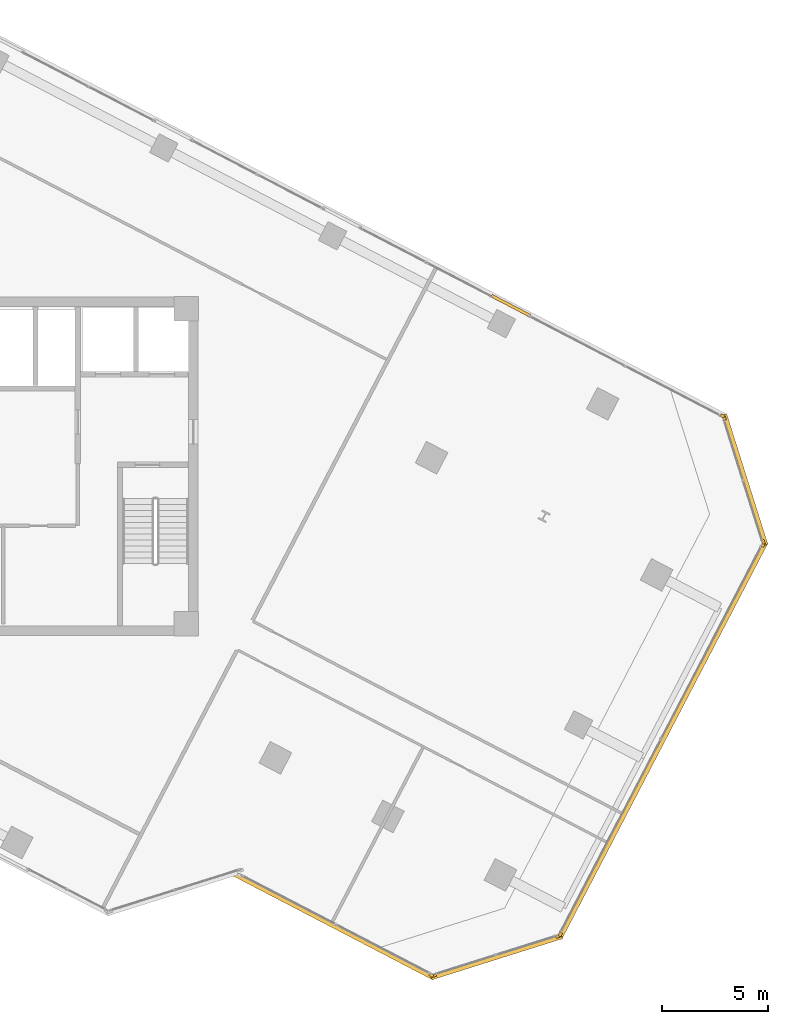
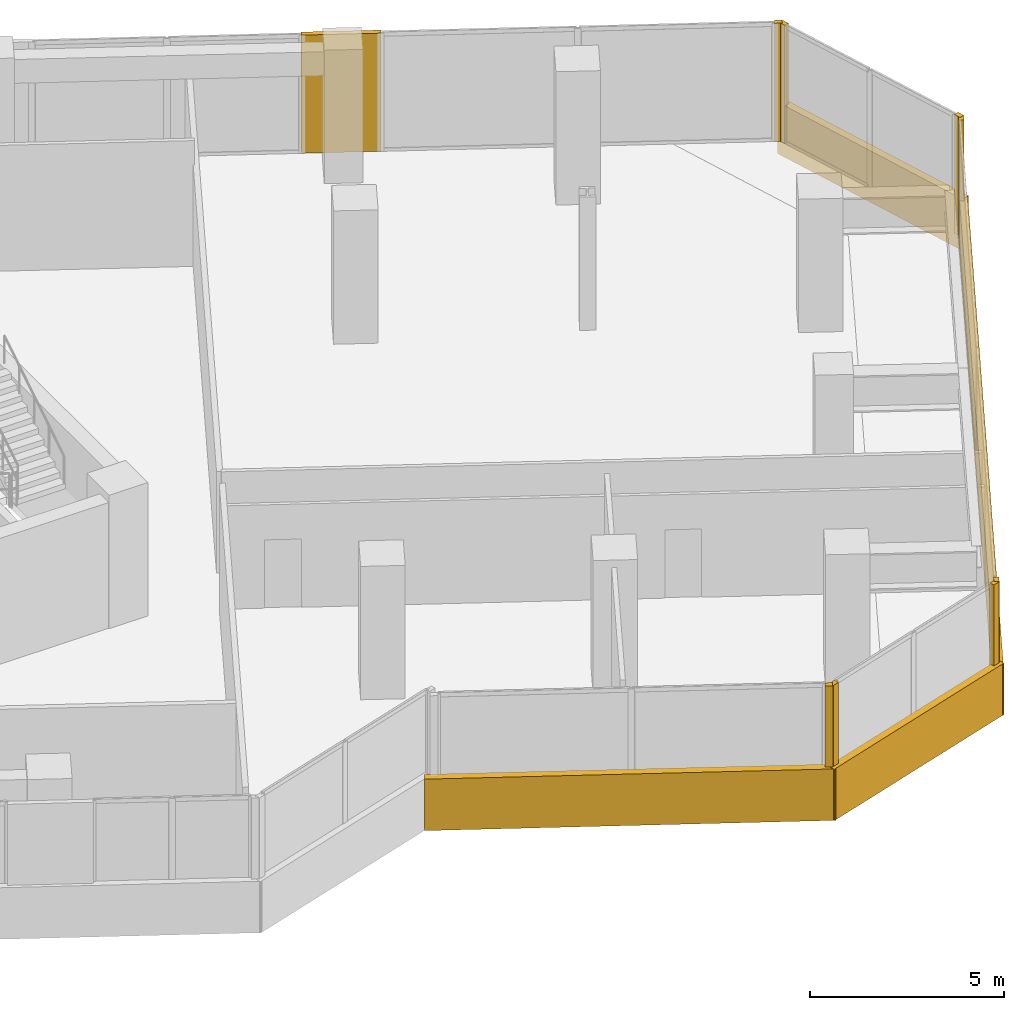
# One storey, part 21 of 22: 13 coverings.
"""IFC4 building model written with IfcOpenShell, lengths in metres."""

from ifc_helpers import new_model, si_unit, direction, frame, origin, origin_2d, place, context, subcontext, project, spatial, rectangle, extrude, source, transform, mapped, material, layer, layer_set, type_object, element, save


model = new_model("IFC4")

# Units and contexts
model_context = context("Model", 3, precision=1e-05, world=origin(), true_north=direction((0.0, 1.0)))
body_context = subcontext(model_context, "Body", "Model", "MODEL_VIEW")
ifc_project = project(units=[si_unit("LENGTHUNIT", "METRE"), si_unit("AREAUNIT", "SQUARE_METRE"), si_unit("VOLUMEUNIT", "CUBIC_METRE"), si_unit("PLANEANGLEUNIT", "RADIAN"), si_unit("MASSUNIT", "GRAM", prefix="KILO")], contexts=[model_context])

# Site, building, storey
site_placement = place(None, origin())
site = spatial("IfcSite", under=ifc_project, at=site_placement, CompositionType="ELEMENT")
building_placement = place(site_placement, origin())
building = spatial("IfcBuilding", under=site, at=building_placement, Name="Torre Montelarca", CompositionType="ELEMENT")
storey_placement = place(building_placement, frame((0.0, 0.0, 166.60009765625)))
storey = spatial("IfcBuildingStorey", under=building, at=storey_placement, Name="L37", CompositionType="ELEMENT", Elevation=166.60009765625)

# Coverings
ifc_material = material(Name="Bush-hammered warm white precast concrete C45/55", Category="concrete")
ifc_layer = layer(ifc_material, 0.139892578125, Name="Bush-hammered warm white precast concrete C45/55", Category="concrete")
ifc_layer_set = layer_set([ifc_layer], Name="Bush-hammered warm white precast concrete C45/55")
covering_type = type_object("IfcCoveringType", Name="COV-TRAY-CLAD", PredefinedType="CLADDING", material=ifc_layer_set)
shared_shape_1 = source(origin(), body_context, "Body", "SweptSolid", [
    extrude(rectangle(XDim=6.48388671875, YDim=0.219970703125, at=origin_2d()), origin(), (0.0, 0.0, 1.0), 1.6201171875),
])
for number, where, z_axis, x_axis, name in (
    (1, (41.127197265625, 8.785400390625, -0.4501953125), (0.0, 0.0, 1.0), (0.953721674106, 0.300690818516, 0.0), "L37 Architectural White Spandrel Tray Band TRYBOT-05"),
    (2, (52.882080078125, 31.36669921875, -0.4501953125), (0.0, 0.0, 1.0), (-0.300709128603, 0.953715901081, 0.0), "L37 Architectural White Spandrel Tray Band TRYBOT-07"),
):
    element("IfcCovering", number, at=place(storey_placement, frame(where, z_axis=z_axis, x_axis=x_axis)), inside=storey, type_object=covering_type, Name=name, PredefinedType="CLADDING", context=body_context, shape_type="MappedRepresentation", body=[
        mapped(shared_shape_1, transform((0.0, 0.0, 0.0), scale=1.0)),
    ])
shared_shape_2 = source(origin(), body_context, "Body", "SweptSolid", [
    extrude(rectangle(XDim=21.1201171875, YDim=0.219970703125, at=origin_2d()), origin(), (0.0, 0.0, 1.0), 1.6201171875),
])
covering_1_placement = place(storey_placement, frame((48.99267578125, 19.041015625, -0.4501953125), z_axis=(0.0, 0.0, 1.0), x_axis=(0.461747065108, 0.88701163908, 0.0)))
element("IfcCovering", 3, at=covering_1_placement, inside=storey, type_object=covering_type, Name="L37 Architectural White Spandrel Tray Band TRYBOT-06", PredefinedType="CLADDING", context=body_context, shape_type="MappedRepresentation", body=[
    mapped(shared_shape_2, transform((0.0, 0.0, 0.0), scale=1.0)),
])
shared_shape_3 = source(origin(), body_context, "Body", "SweptSolid", [
    extrude(rectangle(XDim=0.199951171875, YDim=0.139892578125, at=origin_2d()), origin(), (0.0, 0.0, 1.0), 3.719970703125),
])
for number, where, z_axis, x_axis, name in (
    (4, (38.040283203125, 7.933349609375, 0.0), (0.0, 0.0, 1.0), (0.88701163908, -0.461747065108, 0.0), "L37 Architectural Column Pier Cladding E04-2"),
    (5, (38.184814453125, 7.920654296875, 0.0), (0.0, 0.0, 1.0), (0.953723248507, 0.300685824837, 0.0), "L37 Architectural Column Pier Cladding E05-1"),
    (6, (44.033447265625, 9.7646484375, 0.0), (0.0, 0.0, 1.0), (0.953723248507, 0.300685824837, 0.0), "L37 Architectural Column Pier Cladding E05-2"),
    (7, (44.14453125, 9.85791015625, 0.0), (0.0, 0.0, 1.0), (0.461743968851, 0.887013250876, 0.0), "L37 Architectural Column Pier Cladding E06-1"),
    (8, (53.734375, 28.27978515625, 0.0), (0.0, 0.0, 1.0), (0.461743968851, 0.887013250876, 0.0), "L37 Architectural Column Pier Cladding E06-2"),
    (9, (53.746826171875, 28.42431640625, 0.0), (0.0, 0.0, 1.0), (-0.300705799504, 0.953716950748, 0.0), "L37 Architectural Column Pier Cladding E07-1"),
    (10, (51.90283203125, 34.272705078125, 0.0), (0.0, 0.0, 1.0), (-0.300705799504, 0.953716950748, 0.0), "L37 Architectural Column Pier Cladding E07-2"),
    (11, (51.8095703125, 34.384033203125, 0.0), (0.0, 0.0, 1.0), (-0.887010833178, 0.461748613235, 0.0), "L37 Architectural Column Pier Cladding E08-1"),
):
    element("IfcCovering", number, at=place(storey_placement, frame(where, z_axis=z_axis, x_axis=x_axis)), inside=storey, type_object=covering_type, Name=name, PredefinedType="CLADDING", context=body_context, shape_type="MappedRepresentation", body=[
        mapped(shared_shape_3, transform((0.0, 0.0, 0.0), scale=1.0)),
    ])
shared_shape_4 = source(origin(), body_context, "Body", "SweptSolid", [
    extrude(rectangle(XDim=2.06005859375, YDim=0.139892578125, at=origin_2d()), origin(), (0.0, 0.0, 1.0), 3.719970703125),
])
covering_2_placement = place(storey_placement, frame((41.80029296875, 39.594482421875, 0.0), z_axis=(0.0, 0.0, 1.0), x_axis=(-0.887010833178, 0.461748613235, 0.0)))
element("IfcCovering", 12, at=covering_2_placement, inside=storey, type_object=covering_type, Name="L37 Architectural Column Pier Cladding E08-2", PredefinedType="CLADDING", context=body_context, shape_type="MappedRepresentation", body=[
    mapped(shared_shape_4, transform((0.0, 0.0, 0.0), scale=1.0)),
])
shared_shape_5 = source(origin(), body_context, "Body", "SweptSolid", [
    extrude(rectangle(XDim=10.6201171875, YDim=0.219970703125, at=origin_2d()), origin(), (0.0, 0.0, 1.0), 1.6201171875),
])
covering_3_placement = place(storey_placement, frame((33.45849609375, 10.250732421875, -0.4501953125), z_axis=(0.0, 0.0, 1.0), x_axis=(0.887013250876, -0.461743968851, 0.0)))
element("IfcCovering", 13, at=covering_3_placement, inside=storey, type_object=covering_type, Name="L37 Architectural White Spandrel Tray Band TRYBOT-04", PredefinedType="CLADDING", context=body_context, shape_type="MappedRepresentation", body=[
    mapped(shared_shape_5, transform((0.0, 0.0, 0.0), scale=1.0)),
])

save(model, "model.ifc")
